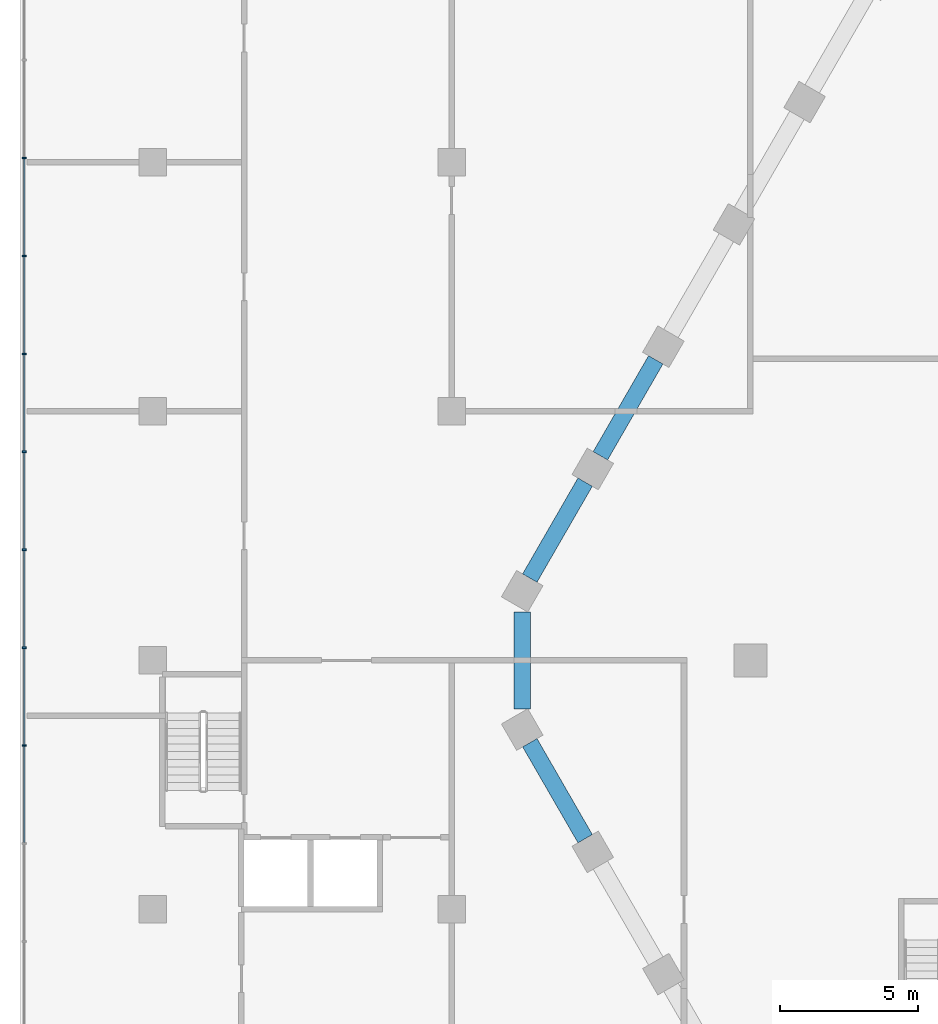
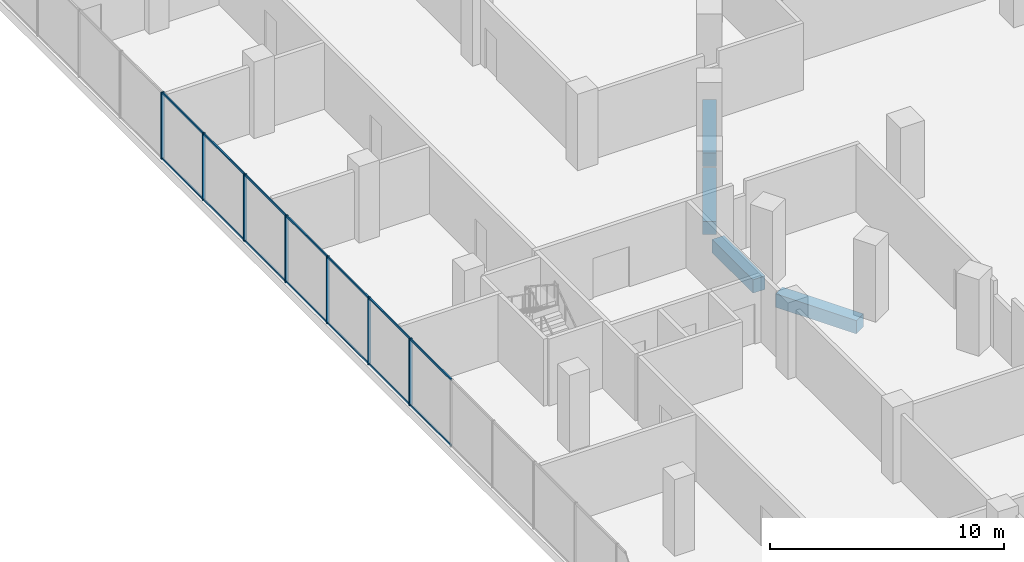
# One storey, part 6 of 45: 21 members, 4 beams, 1 element without a shape of its own.
"""IFC4 building model written with IfcOpenShell, lengths in metres."""

from ifc_helpers import new_model, si_unit, direction, frame, origin, origin_2d, place, context, subcontext, project, spatial, rectangle, hollow_rectangle, extrude, material, material_profile, profile_set, type_object, element, aggregate, save


model = new_model("IFC4")

# Units and contexts
model_context = context("Model", 3, precision=1e-05, world=origin(), true_north=direction((0.0, 1.0)))
body_context = subcontext(model_context, "Body", "Model", "MODEL_VIEW")
ifc_project = project(units=[si_unit("LENGTHUNIT", "METRE"), si_unit("AREAUNIT", "SQUARE_METRE"), si_unit("VOLUMEUNIT", "CUBIC_METRE"), si_unit("PLANEANGLEUNIT", "RADIAN"), si_unit("MASSUNIT", "GRAM", prefix="KILO")], contexts=[model_context])

# Site, building, storey
site_placement = place(None, origin())
site = spatial("IfcSite", under=ifc_project, at=site_placement, CompositionType="ELEMENT")
building_placement = place(site_placement, origin())
building = spatial("IfcBuilding", under=site, at=building_placement, Name="Beryl Residences", CompositionType="ELEMENT")
storey_placement = place(building_placement, frame((0.0, 0.0, 5.0)))
storey = spatial("IfcBuildingStorey", under=building, at=storey_placement, Name="L01", CompositionType="ELEMENT", Elevation=5.0)

# Curtain wall, members
ifc_material_1 = material(Name="Aluminium and clear glass", Category="aluminium")
curtain_wall_type = type_object("IfcCurtainWallType", Name="CW1 shopfront glazed wall", PredefinedType="NOTDEFINED", material=ifc_material_1)
curtain_wall_placement = place(storey_placement, origin())
curtain_wall = element("IfcCurtainWall", 1, at=curtain_wall_placement, inside=storey, type_object=curtain_wall_type, Name="CW1 L01 W", PredefinedType="NOTDEFINED")
ifc_material_2 = material(Name="Aluminium", Category="aluminium")
ifc_material_profile_1 = material_profile(ifc_material_2, rectangle(XDim=0.06005859375, YDim=0.14990234375, at=origin_2d()))
ifc_profile_set_1 = profile_set([ifc_material_profile_1], Name="Aluminium")
member_type_1 = type_object("IfcMemberType", Name="CW1-M mullion 60 x 150 mm", PredefinedType="MULLION", material=ifc_profile_set_1)
member_1_placement = place(storey_placement, frame((-47.85009765625, 18.159912109375, 0.0), z_axis=(0.0, 0.0, 1.0), x_axis=(0.0, -1.0, 0.0)))
member_1 = element("IfcMember", 2, at=member_1_placement, type_object=member_type_1, Name="CW1 mullion 7", PredefinedType="MULLION", context=body_context, shape_type="SweptSolid", body=[
    extrude(rectangle(XDim=0.06005859375, YDim=0.14990234375, at=origin_2d()), origin(), (0.0, 0.0, 1.0), 3.5),
])
member_2_placement = place(storey_placement, frame((-47.85009765625, 14.6201171875, 0.0), z_axis=(0.0, 0.0, 1.0), x_axis=(0.0, -1.0, 0.0)))
member_2 = element("IfcMember", 3, at=member_2_placement, type_object=member_type_1, Name="CW1 mullion 8", PredefinedType="MULLION", context=body_context, shape_type="SweptSolid", body=[
    extrude(rectangle(XDim=0.06005859375, YDim=0.14990234375, at=origin_2d()), origin(), (0.0, 0.0, 1.0), 3.5),
])
member_3_placement = place(storey_placement, frame((-47.85009765625, 11.080078125, 0.0), z_axis=(0.0, 0.0, 1.0), x_axis=(0.0, -1.0, 0.0)))
member_3 = element("IfcMember", 4, at=member_3_placement, type_object=member_type_1, Name="CW1 mullion 9", PredefinedType="MULLION", context=body_context, shape_type="SweptSolid", body=[
    extrude(rectangle(XDim=0.06005859375, YDim=0.14990234375, at=origin_2d()), origin(), (0.0, 0.0, 1.0), 3.5),
])
member_4_placement = place(storey_placement, frame((-47.85009765625, 7.5400390625, 0.0), z_axis=(0.0, 0.0, 1.0), x_axis=(0.0, -1.0, 0.0)))
member_4 = element("IfcMember", 5, at=member_4_placement, type_object=member_type_1, Name="CW1 mullion 10", PredefinedType="MULLION", context=body_context, shape_type="SweptSolid", body=[
    extrude(rectangle(XDim=0.06005859375, YDim=0.14990234375, at=origin_2d()), origin(), (0.0, 0.0, 1.0), 3.5),
])
member_5_placement = place(storey_placement, frame((-47.85009765625, 4.0, 0.0), z_axis=(0.0, 0.0, 1.0), x_axis=(0.0, -1.0, 0.0)))
member_5 = element("IfcMember", 6, at=member_5_placement, type_object=member_type_1, Name="CW1 mullion 11", PredefinedType="MULLION", context=body_context, shape_type="SweptSolid", body=[
    extrude(rectangle(XDim=0.06005859375, YDim=0.14990234375, at=origin_2d()), origin(), (0.0, 0.0, 1.0), 3.5),
])
member_6_placement = place(storey_placement, frame((-47.85009765625, 0.4599609375, 0.0), z_axis=(0.0, 0.0, 1.0), x_axis=(0.0, -1.0, 0.0)))
member_6 = element("IfcMember", 7, at=member_6_placement, type_object=member_type_1, Name="CW1 mullion 12", PredefinedType="MULLION", context=body_context, shape_type="SweptSolid", body=[
    extrude(rectangle(XDim=0.06005859375, YDim=0.14990234375, at=origin_2d()), origin(), (0.0, 0.0, 1.0), 3.5),
])
member_7_placement = place(storey_placement, frame((-47.85009765625, -3.080078125, 0.0), z_axis=(0.0, 0.0, 1.0), x_axis=(0.0, -1.0, 0.0)))
member_7 = element("IfcMember", 8, at=member_7_placement, type_object=member_type_1, Name="CW1 mullion 13", PredefinedType="MULLION", context=body_context, shape_type="SweptSolid", body=[
    extrude(rectangle(XDim=0.06005859375, YDim=0.14990234375, at=origin_2d()), origin(), (0.0, 0.0, 1.0), 3.5),
])
ifc_material_3 = material(Name="Aluminium", Category="aluminium")
ifc_material_profile_2 = material_profile(ifc_material_3, hollow_rectangle(XDim=0.06005859375, YDim=0.10009765625, WallThickness=0.00390625, at=origin_2d()))
ifc_profile_set_2 = profile_set([ifc_material_profile_2], Name="Aluminium")
member_type_2 = type_object("IfcMemberType", Name="CW1-T transom 60 x 100 mm", PredefinedType="USERDEFINED", material=ifc_profile_set_2)
member_8_placement = place(storey_placement, frame((-47.85009765625, 18.1298828125, 0.030029296875), z_axis=(0.0, -1.0, 0.0), x_axis=(1.0, 0.0, 0.0)))
member_8 = element("IfcMember", 9, at=member_8_placement, type_object=member_type_2, Name="CW1 transom 7.1", ObjectType="TRANSOM", PredefinedType="USERDEFINED", context=body_context, shape_type="SweptSolid", body=[
    extrude(hollow_rectangle(XDim=0.06005859375, YDim=0.10009765625, WallThickness=0.00390625, at=origin_2d()), origin(), (0.0, 0.0, 1.0), 3.47998046875),
])
member_9_placement = place(storey_placement, frame((-47.85009765625, 18.1298828125, 3.469970703125), z_axis=(0.0, -1.0, 0.0), x_axis=(1.0, 0.0, 0.0)))
member_9 = element("IfcMember", 10, at=member_9_placement, type_object=member_type_2, Name="CW1 transom 7.2", ObjectType="TRANSOM", PredefinedType="USERDEFINED", context=body_context, shape_type="SweptSolid", body=[
    extrude(hollow_rectangle(XDim=0.06005859375, YDim=0.10009765625, WallThickness=0.00390625, at=origin_2d()), origin(), (0.0, 0.0, 1.0), 3.47998046875),
])
member_10_placement = place(storey_placement, frame((-47.85009765625, 14.590087890625, 0.030029296875), z_axis=(0.0, -1.0, 0.0), x_axis=(1.0, 0.0, 0.0)))
member_10 = element("IfcMember", 11, at=member_10_placement, type_object=member_type_2, Name="CW1 transom 8.1", ObjectType="TRANSOM", PredefinedType="USERDEFINED", context=body_context, shape_type="SweptSolid", body=[
    extrude(hollow_rectangle(XDim=0.06005859375, YDim=0.10009765625, WallThickness=0.00390625, at=origin_2d()), origin(), (0.0, 0.0, 1.0), 3.47998046875),
])
member_11_placement = place(storey_placement, frame((-47.85009765625, 14.590087890625, 3.469970703125), z_axis=(0.0, -1.0, 0.0), x_axis=(1.0, 0.0, 0.0)))
member_11 = element("IfcMember", 12, at=member_11_placement, type_object=member_type_2, Name="CW1 transom 8.2", ObjectType="TRANSOM", PredefinedType="USERDEFINED", context=body_context, shape_type="SweptSolid", body=[
    extrude(hollow_rectangle(XDim=0.06005859375, YDim=0.10009765625, WallThickness=0.00390625, at=origin_2d()), origin(), (0.0, 0.0, 1.0), 3.47998046875),
])
member_12_placement = place(storey_placement, frame((-47.85009765625, 11.050048828125, 0.030029296875), z_axis=(0.0, -1.0, 0.0), x_axis=(1.0, 0.0, 0.0)))
member_12 = element("IfcMember", 13, at=member_12_placement, type_object=member_type_2, Name="CW1 transom 9.1", ObjectType="TRANSOM", PredefinedType="USERDEFINED", context=body_context, shape_type="SweptSolid", body=[
    extrude(hollow_rectangle(XDim=0.06005859375, YDim=0.10009765625, WallThickness=0.00390625, at=origin_2d()), origin(), (0.0, 0.0, 1.0), 3.47998046875),
])
member_13_placement = place(storey_placement, frame((-47.85009765625, 11.050048828125, 3.469970703125), z_axis=(0.0, -1.0, 0.0), x_axis=(1.0, 0.0, 0.0)))
member_13 = element("IfcMember", 14, at=member_13_placement, type_object=member_type_2, Name="CW1 transom 9.2", ObjectType="TRANSOM", PredefinedType="USERDEFINED", context=body_context, shape_type="SweptSolid", body=[
    extrude(hollow_rectangle(XDim=0.06005859375, YDim=0.10009765625, WallThickness=0.00390625, at=origin_2d()), origin(), (0.0, 0.0, 1.0), 3.47998046875),
])
member_14_placement = place(storey_placement, frame((-47.85009765625, 7.510009765625, 0.030029296875), z_axis=(0.0, -1.0, 0.0), x_axis=(1.0, 0.0, 0.0)))
member_14 = element("IfcMember", 15, at=member_14_placement, type_object=member_type_2, Name="CW1 transom 10.1", ObjectType="TRANSOM", PredefinedType="USERDEFINED", context=body_context, shape_type="SweptSolid", body=[
    extrude(hollow_rectangle(XDim=0.06005859375, YDim=0.10009765625, WallThickness=0.00390625, at=origin_2d()), origin(), (0.0, 0.0, 1.0), 3.47998046875),
])
member_15_placement = place(storey_placement, frame((-47.85009765625, 7.510009765625, 3.469970703125), z_axis=(0.0, -1.0, 0.0), x_axis=(1.0, 0.0, 0.0)))
member_15 = element("IfcMember", 16, at=member_15_placement, type_object=member_type_2, Name="CW1 transom 10.2", ObjectType="TRANSOM", PredefinedType="USERDEFINED", context=body_context, shape_type="SweptSolid", body=[
    extrude(hollow_rectangle(XDim=0.06005859375, YDim=0.10009765625, WallThickness=0.00390625, at=origin_2d()), origin(), (0.0, 0.0, 1.0), 3.47998046875),
])
member_16_placement = place(storey_placement, frame((-47.85009765625, 3.969970703125, 0.030029296875), z_axis=(0.0, -1.0, 0.0), x_axis=(1.0, 0.0, 0.0)))
member_16 = element("IfcMember", 17, at=member_16_placement, type_object=member_type_2, Name="CW1 transom 11.1", ObjectType="TRANSOM", PredefinedType="USERDEFINED", context=body_context, shape_type="SweptSolid", body=[
    extrude(hollow_rectangle(XDim=0.06005859375, YDim=0.10009765625, WallThickness=0.00390625, at=origin_2d()), origin(), (0.0, 0.0, 1.0), 3.47998046875),
])
member_17_placement = place(storey_placement, frame((-47.85009765625, 3.969970703125, 3.469970703125), z_axis=(0.0, -1.0, 0.0), x_axis=(1.0, 0.0, 0.0)))
member_17 = element("IfcMember", 18, at=member_17_placement, type_object=member_type_2, Name="CW1 transom 11.2", ObjectType="TRANSOM", PredefinedType="USERDEFINED", context=body_context, shape_type="SweptSolid", body=[
    extrude(hollow_rectangle(XDim=0.06005859375, YDim=0.10009765625, WallThickness=0.00390625, at=origin_2d()), origin(), (0.0, 0.0, 1.0), 3.47998046875),
])
member_18_placement = place(storey_placement, frame((-47.85009765625, 0.429931640625, 0.030029296875), z_axis=(0.0, -1.0, 0.0), x_axis=(1.0, 0.0, 0.0)))
member_18 = element("IfcMember", 19, at=member_18_placement, type_object=member_type_2, Name="CW1 transom 12.1", ObjectType="TRANSOM", PredefinedType="USERDEFINED", context=body_context, shape_type="SweptSolid", body=[
    extrude(hollow_rectangle(XDim=0.06005859375, YDim=0.10009765625, WallThickness=0.00390625, at=origin_2d()), origin(), (0.0, 0.0, 1.0), 3.47998046875),
])
member_19_placement = place(storey_placement, frame((-47.85009765625, 0.429931640625, 3.469970703125), z_axis=(0.0, -1.0, 0.0), x_axis=(1.0, 0.0, 0.0)))
member_19 = element("IfcMember", 20, at=member_19_placement, type_object=member_type_2, Name="CW1 transom 12.2", ObjectType="TRANSOM", PredefinedType="USERDEFINED", context=body_context, shape_type="SweptSolid", body=[
    extrude(hollow_rectangle(XDim=0.06005859375, YDim=0.10009765625, WallThickness=0.00390625, at=origin_2d()), origin(), (0.0, 0.0, 1.0), 3.47998046875),
])
member_20_placement = place(storey_placement, frame((-47.85009765625, -3.110107421875, 0.030029296875), z_axis=(0.0, -1.0, 0.0), x_axis=(1.0, 0.0, 0.0)))
member_20 = element("IfcMember", 21, at=member_20_placement, type_object=member_type_2, Name="CW1 transom 13.1", ObjectType="TRANSOM", PredefinedType="USERDEFINED", context=body_context, shape_type="SweptSolid", body=[
    extrude(hollow_rectangle(XDim=0.06005859375, YDim=0.10009765625, WallThickness=0.00390625, at=origin_2d()), origin(), (0.0, 0.0, 1.0), 3.47998046875),
])
member_21_placement = place(storey_placement, frame((-47.85009765625, -3.110107421875, 3.469970703125), z_axis=(0.0, -1.0, 0.0), x_axis=(1.0, 0.0, 0.0)))
member_21 = element("IfcMember", 22, at=member_21_placement, type_object=member_type_2, Name="CW1 transom 13.2", ObjectType="TRANSOM", PredefinedType="USERDEFINED", context=body_context, shape_type="SweptSolid", body=[
    extrude(hollow_rectangle(XDim=0.06005859375, YDim=0.10009765625, WallThickness=0.00390625, at=origin_2d()), origin(), (0.0, 0.0, 1.0), 3.47998046875),
])
aggregate(curtain_wall, [member_1, member_2, member_3, member_4, member_5, member_6, member_7, member_8, member_9, member_10, member_11, member_12, member_13, member_14, member_15, member_16, member_17, member_18, member_19, member_20, member_21])

# Beams
ifc_material_4 = material(Name="Concrete C80/95", Category="concrete")
ifc_material_profile_3 = material_profile(ifc_material_4, rectangle(XDim=0.60009765625, YDim=0.699951171875, at=origin_2d()))
ifc_profile_set_3 = profile_set([ifc_material_profile_3], Name="Concrete C80/95")
beam_type = type_object("IfcBeamType", Name="SB1 spandrel beam 600 x 700 C80/95", PredefinedType="SPANDREL", material=ifc_profile_set_3)
beam_1_placement = place(storey_placement, frame((-25.02099609375, 10.863037109375, -0.800048828125), z_axis=(-0.499942357345, -0.866058681229, 0.0), x_axis=(0.866058681229, -0.499942357345, 0.0)))
element("IfcBeam", 23, at=beam_1_placement, inside=storey, type_object=beam_type, Name="SB1 L01 NW-3", PredefinedType="SPANDREL", context=body_context, shape_type="SweptSolid", body=[
    extrude(rectangle(XDim=0.60009765625, YDim=0.699951171875, at=origin_2d()), origin(), (0.0, 0.0, 1.0), 4.00439453125),
])
beam_2_placement = place(storey_placement, frame((-27.572998046875, 6.443115234375, -0.800048828125), z_axis=(-0.499759404093, -0.866164267342, 0.0), x_axis=(0.866164267342, -0.499759404093, 0.0)))
element("IfcBeam", 24, at=beam_2_placement, inside=storey, type_object=beam_type, Name="SB1 L01 NW-4", PredefinedType="SPANDREL", context=body_context, shape_type="SweptSolid", body=[
    extrude(rectangle(XDim=0.60009765625, YDim=0.699951171875, at=origin_2d()), origin(), (0.0, 0.0, 1.0), 4.00390625),
])
beam_3_placement = place(storey_placement, frame((-29.84912109375, 1.748046875, -0.800048828125), z_axis=(0.000349064486, -0.999999939077, 0.0), x_axis=(0.999999939077, 0.000349064486, 0.0)))
element("IfcBeam", 25, at=beam_3_placement, inside=storey, type_object=beam_type, Name="SB1 L01 NW-5", PredefinedType="SPANDREL", context=body_context, shape_type="SweptSolid", body=[
    extrude(rectangle(XDim=0.60009765625, YDim=0.699951171875, at=origin_2d()), origin(), (0.0, 0.0, 1.0), 3.4970703125),
])
beam_4_placement = place(storey_placement, frame((-29.572998046875, -2.97607421875, -0.800048828125), z_axis=(0.499653843024, -0.866225165388, 0.0), x_axis=(0.866225165388, 0.499653843024, 0.0)))
element("IfcBeam", 26, at=beam_4_placement, inside=storey, type_object=beam_type, Name="SB1 L01 SW-0", PredefinedType="SPANDREL", context=body_context, shape_type="SweptSolid", body=[
    extrude(rectangle(XDim=0.60009765625, YDim=0.699951171875, at=origin_2d()), origin(), (0.0, 0.0, 1.0), 4.004638671875),
])

save(model, "model.ifc")
